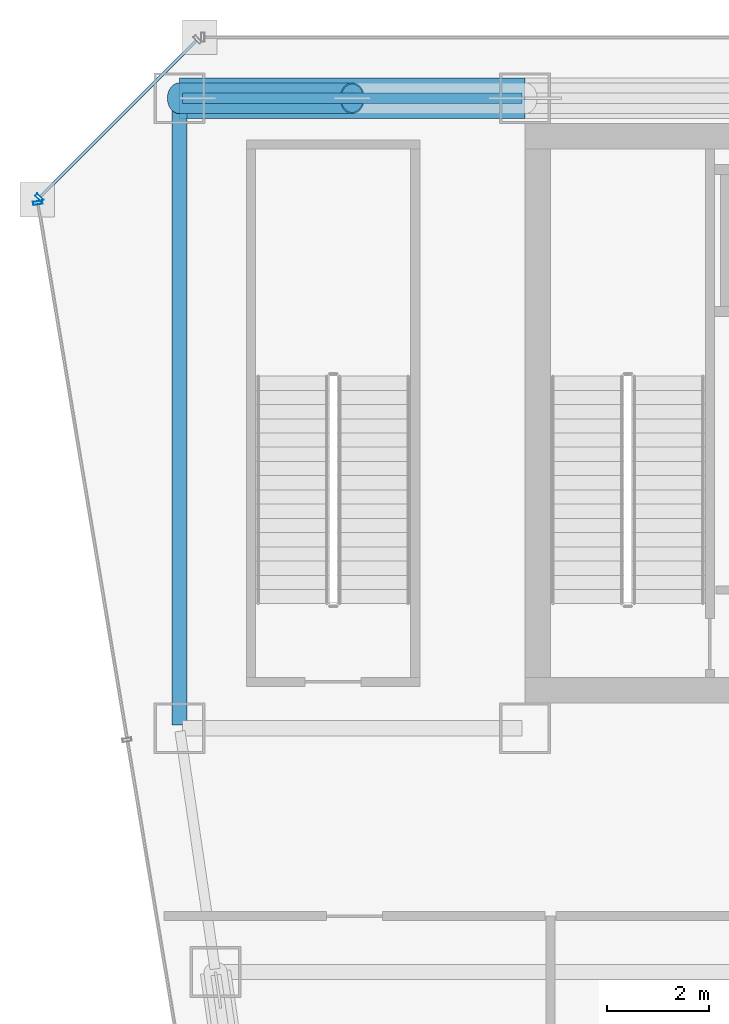
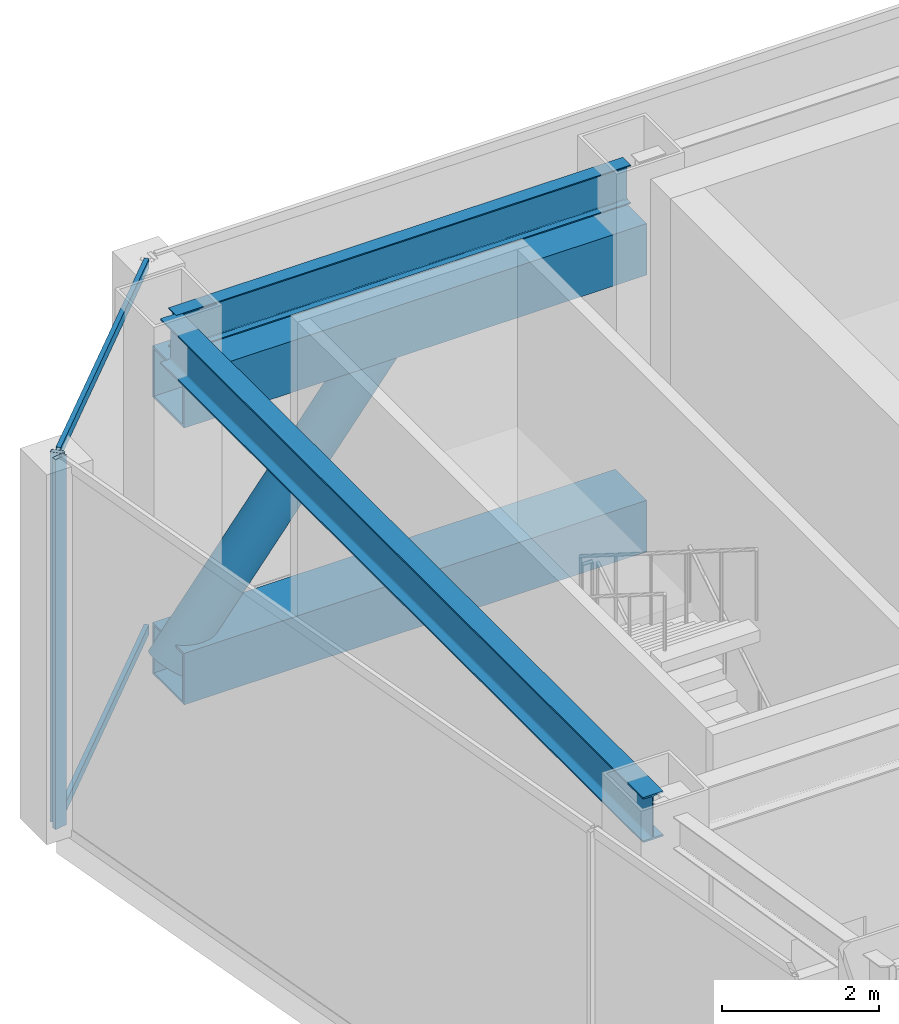
# One storey, part 17 of 30: 7 members, 2 beams, 2 elements without a shape of their own.
"""IFC4 building model written with IfcOpenShell, lengths in metres."""

from ifc_helpers import new_model, si_unit, direction, frame, origin, origin_2d, place, context, subcontext, project, spatial, hollow_rectangle, hollow_circle, i_section, extrude, material, material_profile, profile_set, type_object, element, aggregate, save


model = new_model("IFC4")

# Units and contexts
model_context = context("Model", 3, precision=1e-05, world=origin(), true_north=direction((0.0, 1.0)))
body_context = subcontext(model_context, "Body", "Model", "MODEL_VIEW")
ifc_project = project(units=[si_unit("LENGTHUNIT", "METRE"), si_unit("AREAUNIT", "SQUARE_METRE"), si_unit("VOLUMEUNIT", "CUBIC_METRE"), si_unit("PLANEANGLEUNIT", "RADIAN"), si_unit("MASSUNIT", "GRAM", prefix="KILO")], contexts=[model_context])

# Site, building, storey
site_placement = place(None, origin())
site = spatial("IfcSite", under=ifc_project, at=site_placement, CompositionType="ELEMENT")
building_placement = place(site_placement, origin())
building = spatial("IfcBuilding", under=site, at=building_placement, Name="Saevonmaru Cultural Tower", CompositionType="ELEMENT")
storey_placement = place(building_placement, frame((0.0, 0.0, 123.60009765625)))
storey = spatial("IfcBuildingStorey", under=building, at=storey_placement, Name="L26", CompositionType="ELEMENT", Elevation=123.60009765625)

# Beams
ifc_material_1 = material(Name="Steel SM355", Category="steel")
ifc_material_profile_1 = material_profile(ifc_material_1, i_section(OverallWidth=0.300048828125, OverallDepth=0.699951171875, WebThickness=0.012939453125, FlangeThickness=0.02392578125, FilletRadius=0.02587890625, at=origin_2d()), Name="H-700x300x13x24")
ifc_profile_set_1 = profile_set([ifc_material_profile_1], Name="Steel SM355")
beam_type_1 = type_object("IfcBeamType", Name="BM-G-H700", PredefinedType="BEAM", material=ifc_profile_set_1)
beam_1_placement = place(storey_placement, frame((6.800048828125, 54.739990234375, 5.39990234375), z_axis=(0.0, -1.0, 0.0), x_axis=(1.0, 0.0, 0.0)))
element("IfcBeam", 1, at=beam_1_placement, inside=storey, type_object=beam_type_1, Name="L26 Spine Transverse Girder W", PredefinedType="BEAM", context=body_context, shape_type="SweptSolid", body=[
    extrude(i_section(OverallWidth=0.300048828125, OverallDepth=0.699951171875, WebThickness=0.012939453125, FlangeThickness=0.02392578125, FilletRadius=0.02587890625, at=origin_2d()), origin(), (0.0, 0.0, 1.0), 12.280029296875),
])
ifc_material_profile_2 = material_profile(ifc_material_1, i_section(OverallWidth=0.199951171875, OverallDepth=0.60009765625, WebThickness=0.010986328125, FlangeThickness=0.01708984375, FilletRadius=0.02197265625, at=origin_2d()), Name="H-600x200x11x17")
ifc_profile_set_2 = profile_set([ifc_material_profile_2], Name="Steel SM355")
beam_type_2 = type_object("IfcBeamType", Name="BM-SP-H600", PredefinedType="SPANDREL", material=ifc_profile_set_2)
beam_2_placement = place(storey_placement, frame((6.860107421875, 54.800048828125, 5.449951171875), z_axis=(1.0, 0.0, 0.0), x_axis=(0.0, 1.0, 0.0)))
element("IfcBeam", 2, at=beam_2_placement, inside=storey, type_object=beam_type_2, Name="L26 North Spine Girder 1", PredefinedType="SPANDREL", context=body_context, shape_type="SweptSolid", body=[
    extrude(i_section(OverallWidth=0.199951171875, OverallDepth=0.60009765625, WebThickness=0.010986328125, FlangeThickness=0.01708984375, FilletRadius=0.02197265625, at=origin_2d()), origin(), (0.0, 0.0, 1.0), 6.679931640625),
])

# Members
ifc_material_2 = material(Name="Steel HSA600 (600 MPa)", Category="steel")
ifc_material_profile_3 = material_profile(ifc_material_2, hollow_circle(Radius=0.3046875, WallThickness=0.02490234375, at=origin_2d()), Name="CHS-609.6x25")
ifc_profile_set_3 = profile_set([ifc_material_profile_3], Name="Steel HSA600 (600 MPa)")
member_type_1 = type_object("IfcMemberType", Name="MB-OBR-CHS610", PredefinedType="BRACE", material=ifc_profile_set_3)
member_1_placement = place(storey_placement, frame((6.800048828125, 54.800048828125, 0.2998046875), z_axis=(0.620220288728, 0.0, 0.784427685291), x_axis=(0.0, 1.0, 0.0)))
element("IfcMember", 3, at=member_1_placement, inside=storey, type_object=member_type_1, Name="L26 Outrigger Truss Diagonal OW2-1", PredefinedType="BRACE", context=body_context, shape_type="SweptSolid", body=[
    extrude(hollow_circle(Radius=0.3046875, WallThickness=0.02490234375, at=origin_2d()), origin(), (0.0, 0.0, 1.0), 5.481689453125),
])
ifc_material_profile_4 = material_profile(ifc_material_2, hollow_rectangle(XDim=0.800048828125, YDim=0.800048828125, WallThickness=0.035888671875, at=origin_2d()), Name="BOX-800x800x36")
ifc_profile_set_4 = profile_set([ifc_material_profile_4], Name="Steel HSA600 (600 MPa)")
member_type_2 = type_object("IfcMemberType", Name="MB-OCH-BOX800", PredefinedType="CHORD", material=ifc_profile_set_4)
for number, where, z_axis, x_axis, name in (
    (4, (6.800048828125, 54.800048828125, 0.2998046875), (1.0, 0.0, 0.0), (0.0, 1.0, 0.0), "L26 Outrigger Truss Bottom Chord OW2"),
    (5, (6.800048828125, 54.800048828125, 4.599853515625), (1.0, 0.0, 0.0), (0.0, 1.0, 0.0), "L26 Outrigger Truss Top Chord OW2"),
):
    element("IfcMember", number, at=place(storey_placement, frame(where, z_axis=z_axis, x_axis=x_axis)), inside=storey, type_object=member_type_2, Name=name, PredefinedType="CHORD", context=body_context, shape_type="SweptSolid", body=[
        extrude(hollow_rectangle(XDim=0.800048828125, YDim=0.800048828125, WallThickness=0.035888671875, at=origin_2d()), origin(), (0.0, 0.0, 1.0), 6.800048828125),
    ])

# Curtain wall, member
ifc_material_3 = material(Name="Satin Bronze Anodised Aluminium", Category="aluminium")
curtain_wall_type = type_object("IfcCurtainWallType", Name="CW-TYP-A", PredefinedType="NOTDEFINED", material=ifc_material_3)
curtain_wall_1_placement = place(storey_placement, origin())
curtain_wall_1 = element("IfcCurtainWall", 6, at=curtain_wall_1_placement, inside=storey, type_object=curtain_wall_type, Name="L26 Wind-Floor Acoustic Louvre Screen E11", PredefinedType="NOTDEFINED")
ifc_material_profile_5 = material_profile(ifc_material_3, hollow_rectangle(XDim=0.06494140625, YDim=0.179931640625, WallThickness=0.00390625, at=origin_2d()), Name="ALU-MULL-180x65x4")
ifc_profile_set_5 = profile_set([ifc_material_profile_5], Name="Satin Bronze Anodised Aluminium")
member_type_3 = type_object("IfcMemberType", Name="ML-CW-180x65", PredefinedType="MULLION", material=ifc_profile_set_5)
member_2_placement = place(storey_placement, frame((4.04248046875, 52.84228515625, 0.0), z_axis=(0.0, 0.0, 1.0), x_axis=(-0.707106781187, -0.707106781187, 0.0)))
member_2 = element("IfcMember", 7, at=member_2_placement, type_object=member_type_3, Name="CW-TW-L26-E11 mullion 2", PredefinedType="MULLION", context=body_context, shape_type="SweptSolid", body=[
    extrude(hollow_rectangle(XDim=0.06494140625, YDim=0.179931640625, WallThickness=0.00390625, at=origin_2d()), origin(), (0.0, 0.0, 1.0), 5.75),
])

curtain_wall_2_placement = place(storey_placement, origin())
curtain_wall_2 = element("IfcCurtainWall", 8, at=curtain_wall_2_placement, inside=storey, type_object=curtain_wall_type, Name="L26 Wind-Floor Acoustic Louvre Screen E12", PredefinedType="NOTDEFINED")
member_3_placement = place(storey_placement, frame((4.009765625, 52.74072265625, 0.0), z_axis=(0.0, 0.0, 1.0), x_axis=(0.163998702345, -0.986460554523, 0.0)))
member_3 = element("IfcMember", 9, at=member_3_placement, type_object=member_type_3, Name="CW-TW-L26-E12 mullion 1", PredefinedType="MULLION", context=body_context, shape_type="SweptSolid", body=[
    extrude(hollow_rectangle(XDim=0.06494140625, YDim=0.179931640625, WallThickness=0.00390625, at=origin_2d()), origin(), (0.0, 0.0, 1.0), 5.75),
])
aggregate(curtain_wall_2, [member_3])

# Member
ifc_material_profile_6 = material_profile(ifc_material_3, hollow_rectangle(XDim=0.06494140625, YDim=0.14990234375, WallThickness=0.00390625, at=origin_2d()), Name="ALU-TRAN-150x65x4")
ifc_profile_set_6 = profile_set([ifc_material_profile_6], Name="Satin Bronze Anodised Aluminium")
member_type_4 = type_object("IfcMemberType", Name="TR-CW-150x65", PredefinedType="USERDEFINED", material=ifc_profile_set_6)
member_4_placement = place(storey_placement, frame((7.134521484375, 55.9345703125, 0.032470703125), z_axis=(-0.707106781187, -0.707106781187, 0.0), x_axis=(0.707106781187, -0.707106781187, 0.0)))
member_4 = element("IfcMember", 10, at=member_4_placement, type_object=member_type_4, Name="CW-TW-L26-E11 transom 1.1", ObjectType="TRANSOM", PredefinedType="USERDEFINED", context=body_context, shape_type="SweptSolid", body=[
    extrude(hollow_rectangle(XDim=0.06494140625, YDim=0.14990234375, WallThickness=0.00390625, at=origin_2d()), origin(), (0.0, 0.0, 1.0), 4.34033203125),
])

member_5_placement = place(storey_placement, frame((7.134521484375, 55.9345703125, 5.71728515625), z_axis=(-0.707106781187, -0.707106781187, 0.0), x_axis=(0.707106781187, -0.707106781187, 0.0)))
member_5 = element("IfcMember", 11, at=member_5_placement, type_object=member_type_4, Name="CW-TW-L26-E11 transom 1.2", ObjectType="TRANSOM", PredefinedType="USERDEFINED", context=body_context, shape_type="SweptSolid", body=[
    extrude(hollow_rectangle(XDim=0.06494140625, YDim=0.14990234375, WallThickness=0.00390625, at=origin_2d()), origin(), (0.0, 0.0, 1.0), 4.34033203125),
])

aggregate(curtain_wall_1, [member_2, member_4, member_5])

save(model, "model.ifc")
